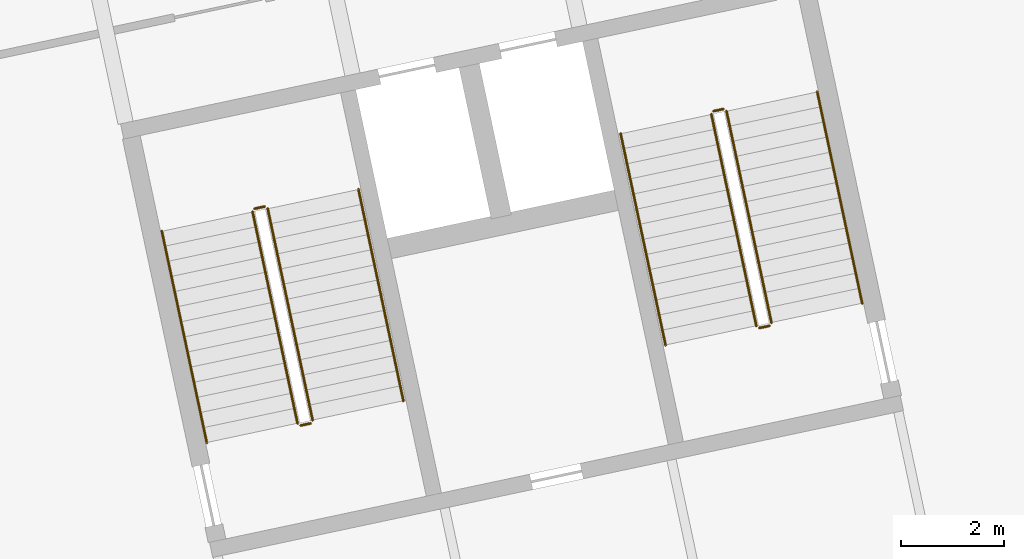
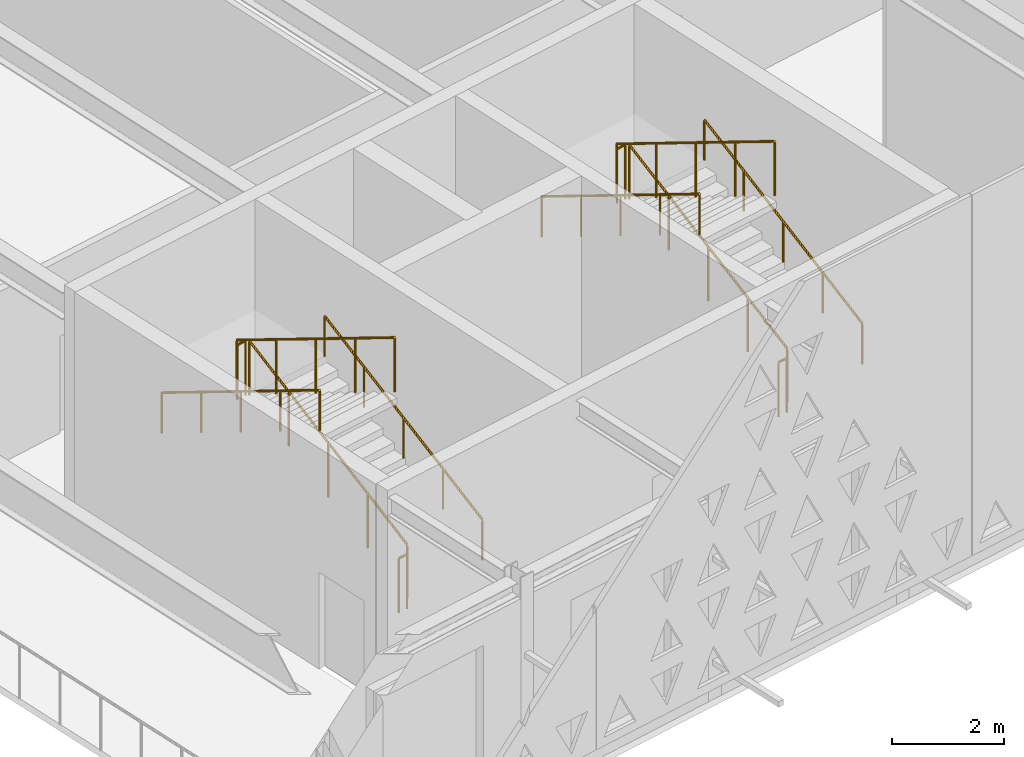
# One storey, part 190 of 196: 12 railings.
"""IFC4 building model written with IfcOpenShell, lengths in metres."""

from ifc_helpers import new_model, si_unit, direction, frame, origin, origin_2d, place, context, subcontext, project, spatial, circle, extrude, material, type_object, element, save


model = new_model("IFC4")

# Units and contexts
model_context = context("Model", 3, precision=1e-05, world=origin(), true_north=direction((0.0, 1.0)))
body_context = subcontext(model_context, "Body", "Model", "MODEL_VIEW")
ifc_project = project(units=[si_unit("LENGTHUNIT", "METRE"), si_unit("AREAUNIT", "SQUARE_METRE"), si_unit("VOLUMEUNIT", "CUBIC_METRE"), si_unit("PLANEANGLEUNIT", "RADIAN"), si_unit("MASSUNIT", "GRAM", prefix="KILO")], contexts=[model_context])

# Site, building, storey
site_placement = place(None, origin())
site = spatial("IfcSite", under=ifc_project, at=site_placement, CompositionType="ELEMENT")
building_placement = place(site_placement, origin())
building = spatial("IfcBuilding", under=site, at=building_placement, Name="Okhra Congress Centre", CompositionType="ELEMENT")
storey_placement = place(building_placement, frame((0.0, 0.0, 12.0)))
storey = spatial("IfcBuildingStorey", under=building, at=storey_placement, Name="L02", CompositionType="ELEMENT", Elevation=12.0)

# Railings
ifc_material_1 = material(Name="Painted steel tube handrail on wall brackets", Category="steel")
railing_type_1 = type_object("IfcRailingType", Name="Steel handrail 900", PredefinedType="HANDRAIL", material=ifc_material_1)
railing_1_placement = place(storey_placement, frame((138.739501953125, 49.030517578125, 0.159912109375)))
element("IfcRailing", 1, at=railing_1_placement, inside=storey, type_object=railing_type_1, Name="L02 BS3A stair handrail 1", PredefinedType="HANDRAIL", context=body_context, shape_type="SweptSolid", body=[
    extrude(circle(Radius=0.02392578125, at=origin_2d()), frame((0.0, 0.0, 0.8759765625), z_axis=(-0.183466421502, 0.863066668889, 0.4705911147), x_axis=(-0.978143927149, -0.207928972925, 0.0)), (0.0, 0.0, 1.0), 4.760009765625),
    extrude(circle(Radius=0.02099609375, at=origin_2d()), origin(), (0.0, 0.0, 1.0), 0.851806640625),
    extrude(circle(Radius=0.02099609375, at=origin_2d()), frame((-0.21826171875, 1.027099609375, 0.56005859375)), (0.0, 0.0, 1.0), 0.851806640625),
    extrude(circle(Radius=0.02099609375, at=origin_2d()), frame((-0.4365234375, 2.05419921875, 1.1201171875)), (0.0, 0.0, 1.0), 0.851806640625),
    extrude(circle(Radius=0.02099609375, at=origin_2d()), frame((-0.655029296875, 3.0810546875, 1.679931640625)), (0.0, 0.0, 1.0), 0.851806640625),
    extrude(circle(Radius=0.02099609375, at=origin_2d()), frame((-0.873291015625, 4.108154296875, 2.239990234375)), (0.0, 0.0, 1.0), 0.851806640625),
])
railing_2_placement = place(storey_placement, frame((134.051513671875, 52.327880859375, 2.56005859375)))
element("IfcRailing", 2, at=railing_2_placement, inside=storey, type_object=railing_type_1, Name="L02 BS3A stair handrail 2", PredefinedType="HANDRAIL", context=body_context, shape_type="SweptSolid", body=[
    extrude(circle(Radius=0.02392578125, at=origin_2d()), frame((0.0, 0.0, 0.8759765625), z_axis=(0.183466421502, -0.863066668889, 0.4705911147), x_axis=(0.978143927149, 0.207928972925, 0.0)), (0.0, 0.0, 1.0), 4.760009765625),
    extrude(circle(Radius=0.02099609375, at=origin_2d()), origin(), (0.0, 0.0, 1.0), 0.851806640625),
    extrude(circle(Radius=0.02099609375, at=origin_2d()), frame((0.21826171875, -1.027099609375, 0.56005859375)), (0.0, 0.0, 1.0), 0.851806640625),
    extrude(circle(Radius=0.02099609375, at=origin_2d()), frame((0.4365234375, -2.05419921875, 1.1201171875)), (0.0, 0.0, 1.0), 0.851806640625),
    extrude(circle(Radius=0.02099609375, at=origin_2d()), frame((0.655029296875, -3.0810546875, 1.679931640625)), (0.0, 0.0, 1.0), 0.851806640625),
    extrude(circle(Radius=0.02099609375, at=origin_2d()), frame((0.873291015625, -4.108154296875, 2.239990234375)), (0.0, 0.0, 1.0), 0.851806640625),
])
railing_3_placement = place(storey_placement, frame((147.640625, 50.92236328125, 0.159912109375)))
element("IfcRailing", 3, at=railing_3_placement, inside=storey, type_object=railing_type_1, Name="L02 BS3B stair handrail 1", PredefinedType="HANDRAIL", context=body_context, shape_type="SweptSolid", body=[
    extrude(circle(Radius=0.02392578125, at=origin_2d()), frame((0.0, 0.0, 0.8759765625), z_axis=(-0.183458300256, 0.863079753065, 0.470570283716), x_axis=(-0.978146440129, -0.207917150959, 0.0)), (0.0, 0.0, 1.0), 4.76025390625),
    extrude(circle(Radius=0.02099609375, at=origin_2d()), origin(), (0.0, 0.0, 1.0), 0.851806640625),
    extrude(circle(Radius=0.02099609375, at=origin_2d()), frame((-0.21826171875, 1.027099609375, 0.56005859375)), (0.0, 0.0, 1.0), 0.851806640625),
    extrude(circle(Radius=0.02099609375, at=origin_2d()), frame((-0.4365234375, 2.05419921875, 1.1201171875)), (0.0, 0.0, 1.0), 0.851806640625),
    extrude(circle(Radius=0.02099609375, at=origin_2d()), frame((-0.655029296875, 3.081298828125, 1.679931640625)), (0.0, 0.0, 1.0), 0.851806640625),
    extrude(circle(Radius=0.02099609375, at=origin_2d()), frame((-0.873291015625, 4.1083984375, 2.239990234375)), (0.0, 0.0, 1.0), 0.851806640625),
])
railing_4_placement = place(storey_placement, frame((142.95263671875, 54.219970703125, 2.56005859375)))
element("IfcRailing", 4, at=railing_4_placement, inside=storey, type_object=railing_type_1, Name="L02 BS3B stair handrail 2", PredefinedType="HANDRAIL", context=body_context, shape_type="SweptSolid", body=[
    extrude(circle(Radius=0.02392578125, at=origin_2d()), frame((0.0, 0.0, 0.8759765625), z_axis=(0.183458300256, -0.863079753065, 0.470570283716), x_axis=(0.978146440129, 0.207917150959, 0.0)), (0.0, 0.0, 1.0), 4.76025390625),
    extrude(circle(Radius=0.02099609375, at=origin_2d()), origin(), (0.0, 0.0, 1.0), 0.851806640625),
    extrude(circle(Radius=0.02099609375, at=origin_2d()), frame((0.21826171875, -1.027099609375, 0.56005859375)), (0.0, 0.0, 1.0), 0.851806640625),
    extrude(circle(Radius=0.02099609375, at=origin_2d()), frame((0.4365234375, -2.05419921875, 1.1201171875)), (0.0, 0.0, 1.0), 0.851806640625),
    extrude(circle(Radius=0.02099609375, at=origin_2d()), frame((0.655029296875, -3.081298828125, 1.679931640625)), (0.0, 0.0, 1.0), 0.851806640625),
    extrude(circle(Radius=0.02099609375, at=origin_2d()), frame((0.873291015625, -4.1083984375, 2.239990234375)), (0.0, 0.0, 1.0), 0.851806640625),
])
ifc_material_2 = material(Name="Painted steel tube guard with vertical steel balusters", Category="steel")
railing_type_2 = type_object("IfcRailingType", Name="Steel stair guard 1200", PredefinedType="GUARDRAIL", material=ifc_material_2)
railing_5_placement = place(storey_placement, frame((136.978759765625, 48.65625, 0.159912109375)))
element("IfcRailing", 5, at=railing_5_placement, inside=storey, type_object=railing_type_2, Name="L02 BS3A stair guard 1", PredefinedType="GUARDRAIL", context=body_context, shape_type="SweptSolid", body=[
    extrude(circle(Radius=0.02392578125, at=origin_2d()), frame((0.0, 0.0, 1.17578125), z_axis=(-0.183416856655, 0.863074789412, 0.470595542453), x_axis=(-0.978155748334, -0.207873355681, 0.0)), (0.0, 0.0, 1.0), 4.760009765625),
    extrude(circle(Radius=0.02099609375, at=origin_2d()), origin(), (0.0, 0.0, 1.0), 1.15185546875),
    extrude(circle(Radius=0.02099609375, at=origin_2d()), frame((-0.21826171875, 1.027099609375, 0.56005859375)), (0.0, 0.0, 1.0), 1.15185546875),
    extrude(circle(Radius=0.02099609375, at=origin_2d()), frame((-0.4365234375, 2.05419921875, 1.1201171875)), (0.0, 0.0, 1.0), 1.15185546875),
    extrude(circle(Radius=0.02099609375, at=origin_2d()), frame((-0.65478515625, 3.0810546875, 1.679931640625)), (0.0, 0.0, 1.0), 1.15185546875),
    extrude(circle(Radius=0.02099609375, at=origin_2d()), frame((-0.873046875, 4.108154296875, 2.239990234375)), (0.0, 0.0, 1.0), 1.15185546875),
])
railing_6_placement = place(storey_placement, frame((136.04638671875, 52.802978515625, 2.39990234375)))
element("IfcRailing", 6, at=railing_6_placement, inside=storey, type_object=railing_type_2, Name="L02 BS3A stair guard 2", PredefinedType="GUARDRAIL", context=body_context, shape_type="SweptSolid", body=[
    extrude(circle(Radius=0.02392578125, at=origin_2d()), frame((0.0, 0.0, 1.17578125), z_axis=(-0.97826412705, -0.207362720198, 0.0), x_axis=(0.207362720198, -0.97826412705, 0.0)), (0.0, 0.0, 1.0), 0.2001953125),
    extrude(circle(Radius=0.02099609375, at=origin_2d()), origin(), (0.0, 0.0, 1.0), 1.15185546875),
    extrude(circle(Radius=0.02099609375, at=origin_2d()), frame((-0.19580078125, -0.04150390625, 0.0)), (0.0, 0.0, 1.0), 1.15185546875),
])
railing_7_placement = place(storey_placement, frame((135.812255859375, 52.7021484375, 2.56005859375)))
element("IfcRailing", 7, at=railing_7_placement, inside=storey, type_object=railing_type_2, Name="L02 BS3A stair guard 3", PredefinedType="GUARDRAIL", context=body_context, shape_type="SweptSolid", body=[
    extrude(circle(Radius=0.02392578125, at=origin_2d()), frame((0.0, 0.0, 1.17578125), z_axis=(0.183416856655, -0.863074789412, 0.470595542453), x_axis=(0.978155748334, 0.207873355681, 0.0)), (0.0, 0.0, 1.0), 4.760009765625),
    extrude(circle(Radius=0.02099609375, at=origin_2d()), origin(), (0.0, 0.0, 1.0), 1.15185546875),
    extrude(circle(Radius=0.02099609375, at=origin_2d()), frame((0.21826171875, -1.027099609375, 0.56005859375)), (0.0, 0.0, 1.0), 1.15185546875),
    extrude(circle(Radius=0.02099609375, at=origin_2d()), frame((0.4365234375, -2.05419921875, 1.1201171875)), (0.0, 0.0, 1.0), 1.15185546875),
    extrude(circle(Radius=0.02099609375, at=origin_2d()), frame((0.65478515625, -3.0810546875, 1.679931640625)), (0.0, 0.0, 1.0), 1.15185546875),
    extrude(circle(Radius=0.02099609375, at=origin_2d()), frame((0.873046875, -4.108154296875, 2.239990234375)), (0.0, 0.0, 1.0), 1.15185546875),
])
railing_8_placement = place(storey_placement, frame((136.9404296875, 48.596923828125, 0.0)))
element("IfcRailing", 8, at=railing_8_placement, inside=storey, type_object=railing_type_2, Name="L02 BS3A stair guard 4", PredefinedType="GUARDRAIL", context=body_context, shape_type="SweptSolid", body=[
    extrude(circle(Radius=0.02392578125, at=origin_2d()), frame((0.0, 0.0, 1.17578125), z_axis=(-0.97826412705, -0.207362720198, 0.0), x_axis=(0.207362720198, -0.97826412705, 0.0)), (0.0, 0.0, 1.0), 0.2001953125),
    extrude(circle(Radius=0.02099609375, at=origin_2d()), origin(), (0.0, 0.0, 1.0), 1.15185546875),
    extrude(circle(Radius=0.02099609375, at=origin_2d()), frame((-0.19580078125, -0.04150390625, 0.0)), (0.0, 0.0, 1.0), 1.15185546875),
])
railing_9_placement = place(storey_placement, frame((145.8798828125, 50.54833984375, 0.159912109375)))
element("IfcRailing", 9, at=railing_9_placement, inside=storey, type_object=railing_type_2, Name="L02 BS3B stair guard 1", PredefinedType="GUARDRAIL", context=body_context, shape_type="SweptSolid", body=[
    extrude(circle(Radius=0.02392578125, at=origin_2d()), frame((0.0, 0.0, 1.17578125), z_axis=(-0.183416856655, 0.863074789412, 0.470595542453), x_axis=(-0.978155748334, -0.207873355681, 0.0)), (0.0, 0.0, 1.0), 4.760009765625),
    extrude(circle(Radius=0.02099609375, at=origin_2d()), origin(), (0.0, 0.0, 1.0), 1.15185546875),
    extrude(circle(Radius=0.02099609375, at=origin_2d()), frame((-0.21826171875, 1.027099609375, 0.56005859375)), (0.0, 0.0, 1.0), 1.15185546875),
    extrude(circle(Radius=0.02099609375, at=origin_2d()), frame((-0.4365234375, 2.05419921875, 1.1201171875)), (0.0, 0.0, 1.0), 1.15185546875),
    extrude(circle(Radius=0.02099609375, at=origin_2d()), frame((-0.65478515625, 3.0810546875, 1.679931640625)), (0.0, 0.0, 1.0), 1.15185546875),
    extrude(circle(Radius=0.02099609375, at=origin_2d()), frame((-0.873046875, 4.108154296875, 2.239990234375)), (0.0, 0.0, 1.0), 1.15185546875),
])
railing_10_placement = place(storey_placement, frame((144.947509765625, 54.695068359375, 2.39990234375)))
element("IfcRailing", 10, at=railing_10_placement, inside=storey, type_object=railing_type_2, Name="L02 BS3B stair guard 2", PredefinedType="GUARDRAIL", context=body_context, shape_type="SweptSolid", body=[
    extrude(circle(Radius=0.02392578125, at=origin_2d()), frame((0.0, 0.0, 1.17578125), z_axis=(-0.978016054442, -0.208529607618, 0.0), x_axis=(0.208529607618, -0.978016054442, 0.0)), (0.0, 0.0, 1.0), 0.2001953125),
    extrude(circle(Radius=0.02099609375, at=origin_2d()), origin(), (0.0, 0.0, 1.0), 1.15185546875),
    extrude(circle(Radius=0.02099609375, at=origin_2d()), frame((-0.19580078125, -0.041748046875, 0.0)), (0.0, 0.0, 1.0), 1.15185546875),
])
railing_11_placement = place(storey_placement, frame((144.71337890625, 54.593994140625, 2.56005859375)))
element("IfcRailing", 11, at=railing_11_placement, inside=storey, type_object=railing_type_2, Name="L02 BS3B stair guard 3", PredefinedType="GUARDRAIL", context=body_context, shape_type="SweptSolid", body=[
    extrude(circle(Radius=0.02392578125, at=origin_2d()), frame((0.0, 0.0, 1.17578125), z_axis=(0.183416856655, -0.863074789412, 0.470595542453), x_axis=(0.978155748334, 0.207873355681, 0.0)), (0.0, 0.0, 1.0), 4.760009765625),
    extrude(circle(Radius=0.02099609375, at=origin_2d()), origin(), (0.0, 0.0, 1.0), 1.15185546875),
    extrude(circle(Radius=0.02099609375, at=origin_2d()), frame((0.21826171875, -1.027099609375, 0.56005859375)), (0.0, 0.0, 1.0), 1.15185546875),
    extrude(circle(Radius=0.02099609375, at=origin_2d()), frame((0.4365234375, -2.05419921875, 1.1201171875)), (0.0, 0.0, 1.0), 1.15185546875),
    extrude(circle(Radius=0.02099609375, at=origin_2d()), frame((0.65478515625, -3.0810546875, 1.679931640625)), (0.0, 0.0, 1.0), 1.15185546875),
    extrude(circle(Radius=0.02099609375, at=origin_2d()), frame((0.873046875, -4.108154296875, 2.239990234375)), (0.0, 0.0, 1.0), 1.15185546875),
])
railing_12_placement = place(storey_placement, frame((145.841552734375, 50.489013671875, 0.0)))
element("IfcRailing", 12, at=railing_12_placement, inside=storey, type_object=railing_type_2, Name="L02 BS3B stair guard 4", PredefinedType="GUARDRAIL", context=body_context, shape_type="SweptSolid", body=[
    extrude(circle(Radius=0.02392578125, at=origin_2d()), frame((0.0, 0.0, 1.17578125), z_axis=(-0.978016054442, -0.208529607618, 0.0), x_axis=(0.208529607618, -0.978016054442, 0.0)), (0.0, 0.0, 1.0), 0.2001953125),
    extrude(circle(Radius=0.02099609375, at=origin_2d()), origin(), (0.0, 0.0, 1.0), 1.15185546875),
    extrude(circle(Radius=0.02099609375, at=origin_2d()), frame((-0.19580078125, -0.041748046875, 0.0)), (0.0, 0.0, 1.0), 1.15185546875),
])

save(model, "model.ifc")
